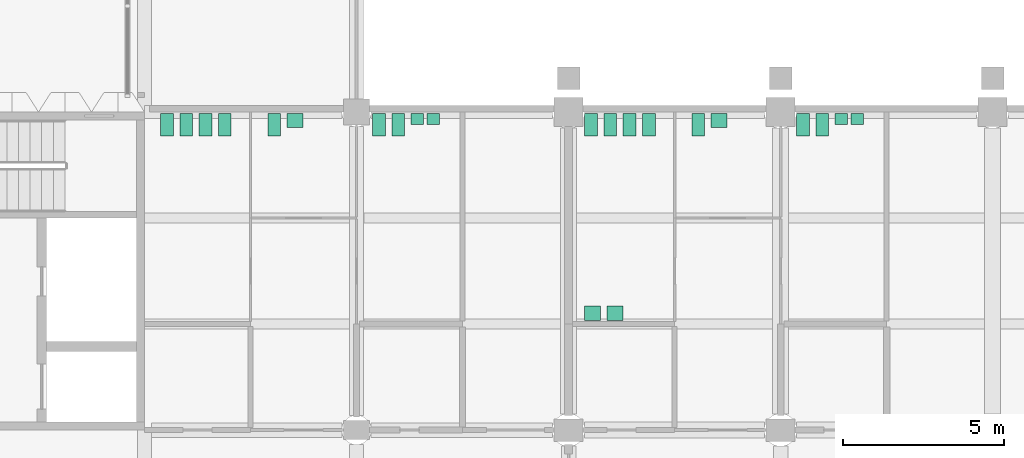
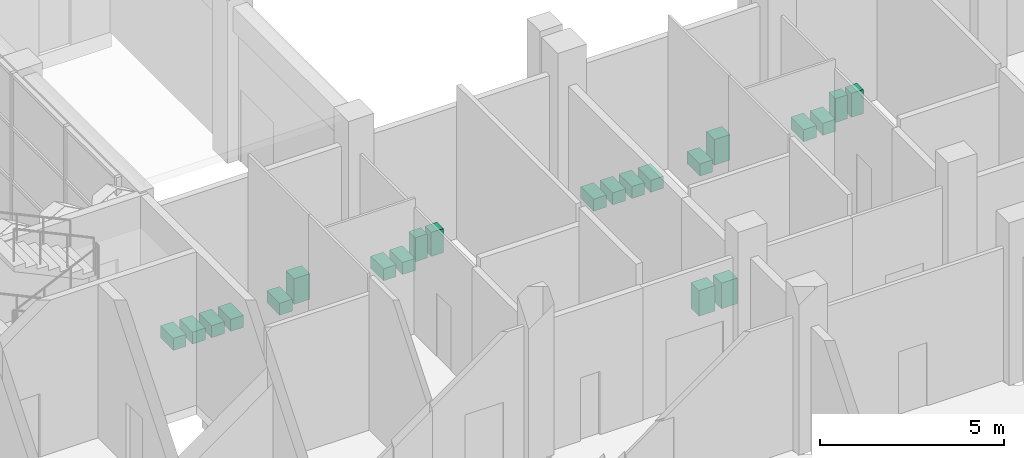
# One storey, part 85 of 85: 22 sanitary terminals.
"""IFC4 building model written with IfcOpenShell, lengths in metres."""

from ifc_helpers import new_model, si_unit, direction, frame, origin, origin_2d, place, context, subcontext, project, spatial, rectangle, extrude, element, save


model = new_model("IFC4")

# Units and contexts
model_context = context("Model", 3, precision=1e-05, world=origin(), true_north=direction((0.0, 1.0)))
body_context = subcontext(model_context, "Body", "Model", "MODEL_VIEW")
ifc_project = project(units=[si_unit("LENGTHUNIT", "METRE"), si_unit("AREAUNIT", "SQUARE_METRE"), si_unit("VOLUMEUNIT", "CUBIC_METRE"), si_unit("PLANEANGLEUNIT", "RADIAN"), si_unit("MASSUNIT", "GRAM", prefix="KILO")], contexts=[model_context])

# Site, building, storey
site_placement = place(None, origin())
site = spatial("IfcSite", under=ifc_project, at=site_placement, CompositionType="ELEMENT")
building_placement = place(site_placement, origin())
building = spatial("IfcBuilding", under=site, at=building_placement, Name="Lantern Court Research Institute", CompositionType="ELEMENT")
storey_placement = place(building_placement, origin())
storey = spatial("IfcBuildingStorey", under=building, at=storey_placement, Name="L00", CompositionType="ELEMENT", Elevation=0.0)

# Sanitary terminals
for number, where, z_axis, x_axis, name in (
    (1, (40.300048828125, 22.7099609375, 0.0), (0.0, 0.0, 1.0), (1.0, 0.0, 0.0), "WC pan W0.08"),
    (2, (40.89990234375, 22.7099609375, 0.0), (0.0, 0.0, 1.0), (1.0, 0.0, 0.0), "WC pan W0.08"),
    (3, (41.5, 22.7099609375, 0.0), (0.0, 0.0, 1.0), (1.0, 0.0, 0.0), "WC pan W0.08"),
    (4, (42.10009765625, 22.7099609375, 0.0), (0.0, 0.0, 1.0), (1.0, 0.0, 0.0), "WC pan W0.08"),
    (5, (43.637451171875, 22.7099609375, 0.0), (0.0, 0.0, 1.0), (1.0, 0.0, 0.0), "WC pan W0.10"),
):
    element("IfcSanitaryTerminal", number, at=place(storey_placement, frame(where, z_axis=z_axis, x_axis=x_axis)), inside=storey, Name=name, PredefinedType="TOILETPAN", context=body_context, shape_type="SweptSolid", body=[
        extrude(rectangle(XDim=0.39990234375, YDim=0.699951171875, at=origin_2d()), origin(), (0.0, 0.0, 1.0), 0.39990234375),
    ])
sanitary_terminal_1_placement = place(storey_placement, frame((44.28759765625, 22.8349609375, 0.0), z_axis=(0.0, 0.0, 1.0), x_axis=(1.0, 0.0, 0.0)))
element("IfcSanitaryTerminal", 6, at=sanitary_terminal_1_placement, inside=storey, Name="Wash basin W0.10", PredefinedType="WASHHANDBASIN", context=body_context, shape_type="SweptSolid", body=[
    extrude(rectangle(XDim=0.5, YDim=0.449951171875, at=origin_2d()), origin(), (0.0, 0.0, 1.0), 0.85009765625),
])
for number, where, z_axis, x_axis, name in (
    (7, (46.89990234375, 22.7099609375, 0.0), (0.0, 0.0, 1.0), (1.0, 0.0, 0.0), "WC pan W0.12"),
    (8, (47.5, 22.7099609375, 0.0), (0.0, 0.0, 1.0), (1.0, 0.0, 0.0), "WC pan W0.12"),
):
    element("IfcSanitaryTerminal", number, at=place(storey_placement, frame(where, z_axis=z_axis, x_axis=x_axis)), inside=storey, Name=name, PredefinedType="TOILETPAN", context=body_context, shape_type="SweptSolid", body=[
        extrude(rectangle(XDim=0.39990234375, YDim=0.699951171875, at=origin_2d()), origin(), (0.0, 0.0, 1.0), 0.39990234375),
    ])
for number, where, z_axis, x_axis, name in (
    (9, (48.090087890625, 22.885009765625, 0.0), (0.0, 0.0, 1.0), (1.0, 0.0, 0.0), "Urinal W0.12"),
    (10, (48.590087890625, 22.885009765625, 0.0), (0.0, 0.0, 1.0), (1.0, 0.0, 0.0), "Urinal W0.12"),
):
    element("IfcSanitaryTerminal", number, at=place(storey_placement, frame(where, z_axis=z_axis, x_axis=x_axis)), inside=storey, Name=name, PredefinedType="URINAL", context=body_context, shape_type="SweptSolid", body=[
        extrude(rectangle(XDim=0.3798828125, YDim=0.35009765625, at=origin_2d()), origin(), (0.0, 0.0, 1.0), 0.800048828125),
    ])
for number, where, z_axis, x_axis, name in (
    (11, (53.5, 22.7099609375, 0.0), (0.0, 0.0, 1.0), (1.0, 0.0, 0.0), "WC pan T0.10"),
    (12, (54.10009765625, 22.7099609375, 0.0), (0.0, 0.0, 1.0), (1.0, 0.0, 0.0), "WC pan T0.10"),
    (13, (54.699951171875, 22.7099609375, 0.0), (0.0, 0.0, 1.0), (1.0, 0.0, 0.0), "WC pan T0.10"),
    (14, (55.300048828125, 22.7099609375, 0.0), (0.0, 0.0, 1.0), (1.0, 0.0, 0.0), "WC pan T0.10"),
):
    element("IfcSanitaryTerminal", number, at=place(storey_placement, frame(where, z_axis=z_axis, x_axis=x_axis)), inside=storey, Name=name, PredefinedType="TOILETPAN", context=body_context, shape_type="SweptSolid", body=[
        extrude(rectangle(XDim=0.39990234375, YDim=0.699951171875, at=origin_2d()), origin(), (0.0, 0.0, 1.0), 0.39990234375),
    ])
for number, where, z_axis, x_axis, name in (
    (15, (53.550048828125, 16.840087890625, 0.0), (0.0, 0.0, 1.0), (1.0, 0.0, 0.0), "Wash basin T0.10"),
    (16, (54.25, 16.840087890625, 0.0), (0.0, 0.0, 1.0), (1.0, 0.0, 0.0), "Wash basin T0.10"),
):
    element("IfcSanitaryTerminal", number, at=place(storey_placement, frame(where, z_axis=z_axis, x_axis=x_axis)), inside=storey, Name=name, PredefinedType="WASHHANDBASIN", context=body_context, shape_type="SweptSolid", body=[
        extrude(rectangle(XDim=0.5, YDim=0.449951171875, at=origin_2d()), origin(), (0.0, 0.0, 1.0), 0.85009765625),
    ])
sanitary_terminal_2_placement = place(storey_placement, frame((56.83740234375, 22.7099609375, 0.0), z_axis=(0.0, 0.0, 1.0), x_axis=(1.0, 0.0, 0.0)))
element("IfcSanitaryTerminal", 17, at=sanitary_terminal_2_placement, inside=storey, Name="WC pan T0.12", PredefinedType="TOILETPAN", context=body_context, shape_type="SweptSolid", body=[
    extrude(rectangle(XDim=0.39990234375, YDim=0.699951171875, at=origin_2d()), origin(), (0.0, 0.0, 1.0), 0.39990234375),
])
sanitary_terminal_3_placement = place(storey_placement, frame((57.487548828125, 22.8349609375, 0.0), z_axis=(0.0, 0.0, 1.0), x_axis=(1.0, 0.0, 0.0)))
element("IfcSanitaryTerminal", 18, at=sanitary_terminal_3_placement, inside=storey, Name="Wash basin T0.12", PredefinedType="WASHHANDBASIN", context=body_context, shape_type="SweptSolid", body=[
    extrude(rectangle(XDim=0.5, YDim=0.449951171875, at=origin_2d()), origin(), (0.0, 0.0, 1.0), 0.85009765625),
])
for number, where, z_axis, x_axis, name in (
    (19, (60.10009765625, 22.7099609375, 0.0), (0.0, 0.0, 1.0), (1.0, 0.0, 0.0), "WC pan T0.14"),
    (20, (60.699951171875, 22.7099609375, 0.0), (0.0, 0.0, 1.0), (1.0, 0.0, 0.0), "WC pan T0.14"),
):
    element("IfcSanitaryTerminal", number, at=place(storey_placement, frame(where, z_axis=z_axis, x_axis=x_axis)), inside=storey, Name=name, PredefinedType="TOILETPAN", context=body_context, shape_type="SweptSolid", body=[
        extrude(rectangle(XDim=0.39990234375, YDim=0.699951171875, at=origin_2d()), origin(), (0.0, 0.0, 1.0), 0.39990234375),
    ])
for number, where, z_axis, x_axis, name in (
    (21, (61.2900390625, 22.885009765625, 0.0), (0.0, 0.0, 1.0), (1.0, 0.0, 0.0), "Urinal T0.14"),
    (22, (61.7900390625, 22.885009765625, 0.0), (0.0, 0.0, 1.0), (1.0, 0.0, 0.0), "Urinal T0.14"),
):
    element("IfcSanitaryTerminal", number, at=place(storey_placement, frame(where, z_axis=z_axis, x_axis=x_axis)), inside=storey, Name=name, PredefinedType="URINAL", context=body_context, shape_type="SweptSolid", body=[
        extrude(rectangle(XDim=0.3798828125, YDim=0.35009765625, at=origin_2d()), origin(), (0.0, 0.0, 1.0), 0.800048828125),
    ])

save(model, "model.ifc")
